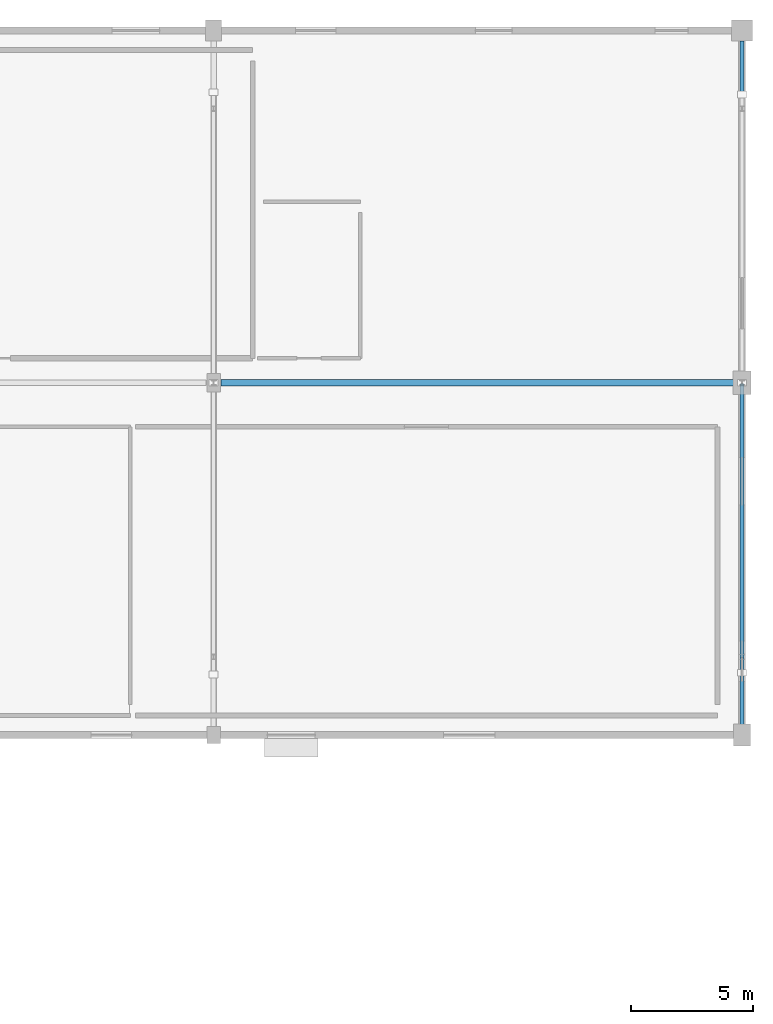
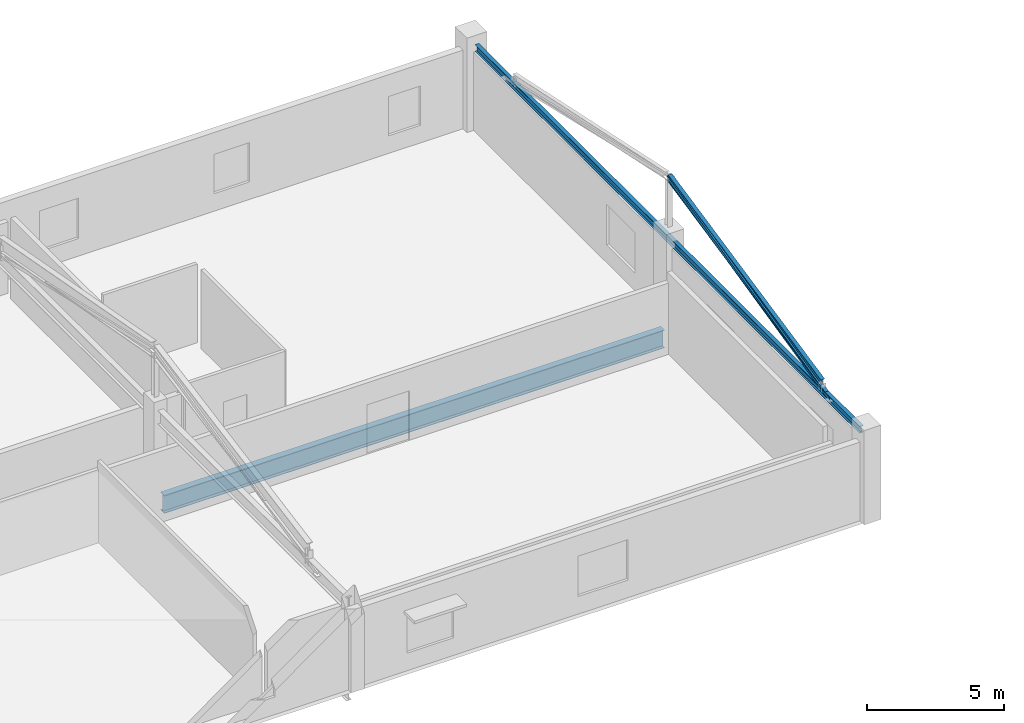
# One storey, part 41 of 92: 3 beams, 1 member.
"""IFC4 building model written with IfcOpenShell, lengths in metres."""

from ifc_helpers import new_model, si_unit, direction, frame, origin, origin_2d, place, context, subcontext, project, spatial, hollow_rectangle, i_section, extrude, material, material_profile, profile_set, type_object, element, save


model = new_model("IFC4")

# Units and contexts
model_context = context("Model", 3, precision=1e-05, world=origin(), true_north=direction((0.0, 1.0)))
body_context = subcontext(model_context, "Body", "Model", "MODEL_VIEW")
ifc_project = project(units=[si_unit("LENGTHUNIT", "METRE"), si_unit("AREAUNIT", "SQUARE_METRE"), si_unit("VOLUMEUNIT", "CUBIC_METRE"), si_unit("PLANEANGLEUNIT", "RADIAN"), si_unit("MASSUNIT", "GRAM", prefix="KILO")], contexts=[model_context])

# Site, building, storey
site_placement = place(None, origin())
site = spatial("IfcSite", under=ifc_project, at=site_placement, CompositionType="ELEMENT")
building_placement = place(site_placement, origin())
building = spatial("IfcBuilding", under=site, at=building_placement, Name="Solanera Park Tramway Depot", CompositionType="ELEMENT")
storey_placement = place(building_placement, frame((0.0, 0.0, 4.800048828125)))
storey = spatial("IfcBuildingStorey", under=building, at=storey_placement, Name="L01", CompositionType="ELEMENT", Elevation=4.800048828125)

# Beams
ifc_material_1 = material(Name="Steel AS/NZS 3679.1 Grade 350", Category="steel")
ifc_material_profile_1 = material_profile(ifc_material_1, i_section(OverallWidth=0.1650390625, OverallDepth=0.3037109375, WebThickness=0.006103515625, FlangeThickness=0.01025390625, at=origin_2d()), Name="310UB40.4")
ifc_profile_set_1 = profile_set([ifc_material_profile_1], Name="Steel AS/NZS 3679.1 Grade 350")
beam_type_1 = type_object("IfcBeamType", Name="Steel Beam 310UB40.4", PredefinedType="BEAM", material=ifc_profile_set_1)
beam_1_placement = place(storey_placement, frame((216.0, 115.550048828125, 3.64794921875), z_axis=(0.0, 1.0, 0.0), x_axis=(-1.0, 0.0, 0.0)))
element("IfcBeam", 1, at=beam_1_placement, inside=storey, type_object=beam_type_1, Name="L01 Hip ROOF TRUSS Tie 310UB40.4 #1062", PredefinedType="BEAM", context=body_context, shape_type="SweptSolid", body=[
    extrude(i_section(OverallWidth=0.1650390625, OverallDepth=0.3037109375, WebThickness=0.006103515625, FlangeThickness=0.01025390625, at=origin_2d()), origin(), (0.0, 0.0, 1.0), 28.02490234375),
])
beam_2_placement = place(storey_placement, frame((216.0, 118.39990234375, 4.011962890625), z_axis=(0.0, 0.978047036059, 0.208384249059), x_axis=(-1.0, 0.0, 0.0)))
element("IfcBeam", 2, at=beam_2_placement, inside=storey, type_object=beam_type_1, Name="L01 Hip ROOF TRUSS Rafter 310UB40.4 #1063", PredefinedType="BEAM", context=body_context, shape_type="SweptSolid", body=[
    extrude(i_section(OverallWidth=0.1650390625, OverallDepth=0.3037109375, WebThickness=0.006103515625, FlangeThickness=0.01025390625, at=origin_2d()), origin(), (0.0, 0.0, 1.0), 11.39013671875),
])
ifc_material_2 = material(Name="Steel AS/NZS 3679.1 Grade 350", Category="steel")
ifc_material_profile_2 = material_profile(ifc_material_2, i_section(OverallWidth=0.27490234375, OverallDepth=0.800048828125, WebThickness=0.010009765625, FlangeThickness=0.02001953125, at=origin_2d()), Name="800WB146")
ifc_profile_set_2 = profile_set([ifc_material_profile_2], Name="Steel AS/NZS 3679.1 Grade 350")
beam_type_2 = type_object("IfcBeamType", Name="Steel Beam 800WB146", PredefinedType="BEAM", material=ifc_profile_set_2)
beam_3_placement = place(storey_placement, frame((194.699951171875, 129.60009765625, -0.678955078125), z_axis=(1.0, 0.0, 0.0), x_axis=(0.0, 1.0, 0.0)))
element("IfcBeam", 3, at=beam_3_placement, inside=storey, type_object=beam_type_2, Name="L01 Primary X-Girder 800WB146 #0041", PredefinedType="BEAM", context=body_context, shape_type="SweptSolid", body=[
    extrude(i_section(OverallWidth=0.27490234375, OverallDepth=0.800048828125, WebThickness=0.010009765625, FlangeThickness=0.02001953125, at=origin_2d()), origin(), (0.0, 0.0, 1.0), 21.050048828125),
])

# Member
ifc_material_3 = material(Name="Steel AS/NZS 1163 Grade C350L0", Category="steel")
ifc_material_profile_3 = material_profile(ifc_material_3, hollow_rectangle(XDim=0.14990234375, YDim=0.14990234375, WallThickness=0.006103515625, at=origin_2d()), Name="150x150x6.0 SHS")
ifc_profile_set_3 = profile_set([ifc_material_profile_3], Name="Steel AS/NZS 1163 Grade C350L0")
member_type = type_object("IfcMemberType", Name="Truss and Frame Brace 150x150x6.0 SHS", PredefinedType="BRACE", material=ifc_profile_set_3)
member_placement = place(storey_placement, frame((216.0, 117.75, 3.64794921875), z_axis=(0.0, 0.974338729396, 0.225086739724), x_axis=(-1.0, 0.0, 0.0)))
element("IfcMember", 4, at=member_placement, inside=storey, type_object=member_type, Name="Hip ROOF TRUSS Web #0449", PredefinedType="BRACE", context=body_context, shape_type="SweptSolid", body=[
    extrude(hollow_rectangle(XDim=0.14990234375, YDim=0.14990234375, WallThickness=0.006103515625, at=origin_2d()), origin(), (0.0, 0.0, 1.0), 12.162109375),
])

save(model, "model.ifc")
